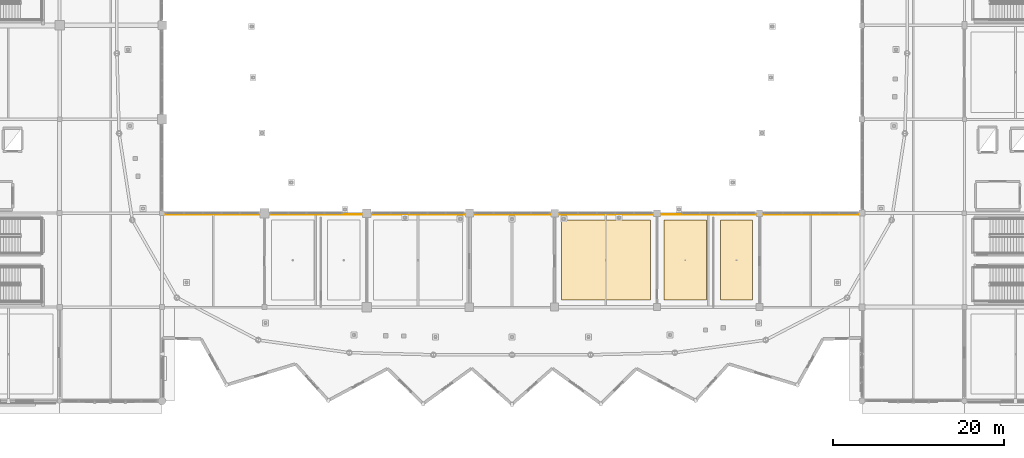
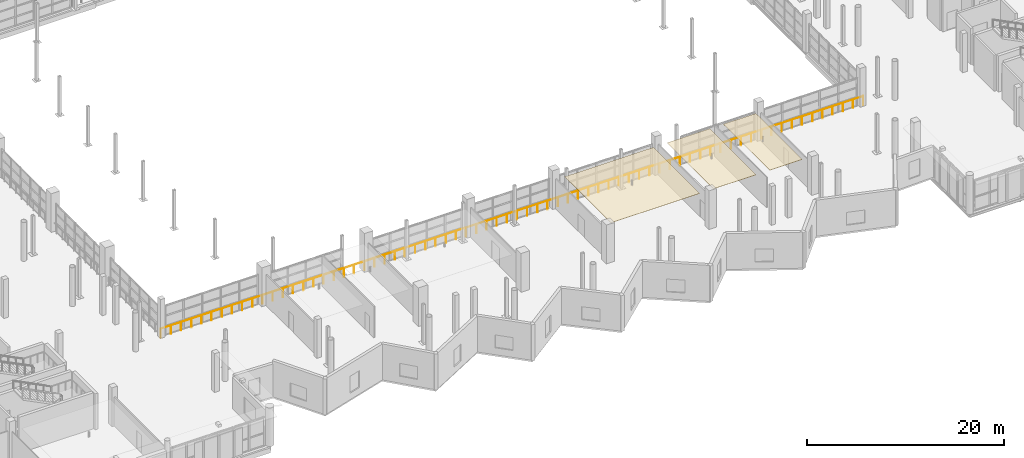
# One storey, part 124 of 143: 3 coverings, 1 railing.
"""IFC4 building model written with IfcOpenShell, lengths in metres."""

from ifc_helpers import new_model, si_unit, direction, frame, origin, origin_2d, place, context, subcontext, project, spatial, polyline, circle, outline, extrude, material, layer, layer_set, type_object, element, save


model = new_model("IFC4")

# Units and contexts
model_context = context("Model", 3, precision=1e-05, world=origin(), true_north=direction((0.0, 1.0)))
body_context = subcontext(model_context, "Body", "Model", "MODEL_VIEW")
ifc_project = project(units=[si_unit("LENGTHUNIT", "METRE"), si_unit("AREAUNIT", "SQUARE_METRE"), si_unit("VOLUMEUNIT", "CUBIC_METRE"), si_unit("PLANEANGLEUNIT", "RADIAN"), si_unit("MASSUNIT", "GRAM", prefix="KILO")], contexts=[model_context])

# Site, building, storey
site_placement = place(None, origin())
site = spatial("IfcSite", under=ifc_project, at=site_placement, CompositionType="ELEMENT")
building_placement = place(site_placement, origin())
building = spatial("IfcBuilding", under=site, at=building_placement, Name="Luwafu Chhajja Arena", CompositionType="ELEMENT")
storey_placement = place(building_placement, frame((0.0, 0.0, 5.39990234375)))
storey = spatial("IfcBuildingStorey", under=building, at=storey_placement, Name="L01", CompositionType="ELEMENT", Elevation=5.39990234375)

# Coverings
ifc_material_1 = material(Name="Acoustic gypsum ceiling board")
ifc_layer = layer(ifc_material_1, 0.0400390625, Name="Acoustic gypsum ceiling board")
ifc_layer_set = layer_set([ifc_layer], Name="Acoustic gypsum ceiling board")
covering_type = type_object("IfcCoveringType", Name="Perforated Acoustic Baffle Ceiling", PredefinedType="CEILING", material=ifc_layer_set)
covering_1_placement = place(storey_placement, frame((0.0, 0.0, 3.83935546875)))
element("IfcCovering", 1, at=covering_1_placement, inside=storey, type_object=covering_type, Name="L01 Acoustic Baffle Ceiling 032", PredefinedType="CEILING", context=body_context, shape_type="SweptSolid", body=[
    extrude(outline(polyline([(104.800048828125, 11.800048828125), (115.199951171875, 11.800048828125), (115.199951171875, 21.199951171875), (104.800048828125, 21.199951171875), (104.800048828125, 11.800048828125)])), origin(), (0.0, 0.0, 1.0), 0.0400390625),
])
covering_2_placement = place(storey_placement, frame((0.0, 0.0, 3.843017578125)))
element("IfcCovering", 2, at=covering_2_placement, inside=storey, type_object=covering_type, Name="L01 Acoustic Baffle Ceiling 033", PredefinedType="CEILING", context=body_context, shape_type="SweptSolid", body=[
    extrude(outline(polyline([(116.800048828125, 11.800048828125), (121.800048828125, 11.800048828125), (121.800048828125, 21.199951171875), (116.800048828125, 21.199951171875), (116.800048828125, 11.800048828125)])), origin(), (0.0, 0.0, 1.0), 0.0400390625),
])
covering_3_placement = place(storey_placement, frame((0.0, 0.0, 3.843017578125)))
element("IfcCovering", 3, at=covering_3_placement, inside=storey, type_object=covering_type, Name="L01 Acoustic Baffle Ceiling 034", PredefinedType="CEILING", context=body_context, shape_type="SweptSolid", body=[
    extrude(outline(polyline([(123.39990234375, 11.800048828125), (127.199951171875, 11.800048828125), (127.199951171875, 21.199951171875), (123.39990234375, 21.199951171875), (123.39990234375, 11.800048828125)])), origin(), (0.0, 0.0, 1.0), 0.0400390625),
])

# Railing
ifc_material_2 = material(Name="Stainless steel balustrade", Category="steel")
railing_type = type_object("IfcRailingType", Name="Seating Bowl Sightline Barrier 1100", PredefinedType="BALUSTRADE", material=ifc_material_2)
railing_placement = place(storey_placement, frame((57.85009765625, 21.85009765625, 0.0)))
element("IfcRailing", 4, at=railing_placement, inside=storey, type_object=railing_type, Name="L01 Bowl Rim Guard 0028", PredefinedType="BALUSTRADE", context=body_context, shape_type="SweptSolid", body=[
    extrude(circle(Radius=0.02392578125, at=origin_2d()), frame((0.0, 0.0, 1.09619140625), z_axis=(1.0, 0.0, 0.0), x_axis=(0.0, 1.0, 0.0)), (0.0, 0.0, 1.0), 82.2998046875),
    extrude(circle(Radius=0.02099609375, at=origin_2d()), origin(), (0.0, 0.0, 1.0), 1.072021484375),
    extrude(circle(Radius=0.02099609375, at=origin_2d()), frame((1.19287109375, 0.0, 0.0)), (0.0, 0.0, 1.0), 1.072021484375),
    extrude(circle(Radius=0.02099609375, at=origin_2d()), frame((2.385498046875, 0.0, 0.0)), (0.0, 0.0, 1.0), 1.072021484375),
    extrude(circle(Radius=0.02099609375, at=origin_2d()), frame((3.578369140625, 0.0, 0.0)), (0.0, 0.0, 1.0), 1.072021484375),
    extrude(circle(Radius=0.02099609375, at=origin_2d()), frame((4.77099609375, 0.0, 0.0)), (0.0, 0.0, 1.0), 1.072021484375),
    extrude(circle(Radius=0.02099609375, at=origin_2d()), frame((5.9638671875, 0.0, 0.0)), (0.0, 0.0, 1.0), 1.072021484375),
    extrude(circle(Radius=0.02099609375, at=origin_2d()), frame((7.156494140625, 0.0, 0.0)), (0.0, 0.0, 1.0), 1.072021484375),
    extrude(circle(Radius=0.02099609375, at=origin_2d()), frame((8.349365234375, 0.0, 0.0)), (0.0, 0.0, 1.0), 1.072021484375),
    extrude(circle(Radius=0.02099609375, at=origin_2d()), frame((9.5419921875, 0.0, 0.0)), (0.0, 0.0, 1.0), 1.072021484375),
    extrude(circle(Radius=0.02099609375, at=origin_2d()), frame((10.73486328125, 0.0, 0.0)), (0.0, 0.0, 1.0), 1.072021484375),
    extrude(circle(Radius=0.02099609375, at=origin_2d()), frame((11.927490234375, 0.0, 0.0)), (0.0, 0.0, 1.0), 1.072021484375),
    extrude(circle(Radius=0.02099609375, at=origin_2d()), frame((13.120361328125, 0.0, 0.0)), (0.0, 0.0, 1.0), 1.072021484375),
    extrude(circle(Radius=0.02099609375, at=origin_2d()), frame((14.31298828125, 0.0, 0.0)), (0.0, 0.0, 1.0), 1.072021484375),
    extrude(circle(Radius=0.02099609375, at=origin_2d()), frame((15.505859375, 0.0, 0.0)), (0.0, 0.0, 1.0), 1.072021484375),
    extrude(circle(Radius=0.02099609375, at=origin_2d()), frame((16.698486328125, 0.0, 0.0)), (0.0, 0.0, 1.0), 1.072021484375),
    extrude(circle(Radius=0.02099609375, at=origin_2d()), frame((17.891357421875, 0.0, 0.0)), (0.0, 0.0, 1.0), 1.072021484375),
    extrude(circle(Radius=0.02099609375, at=origin_2d()), frame((19.083984375, 0.0, 0.0)), (0.0, 0.0, 1.0), 1.072021484375),
    extrude(circle(Radius=0.02099609375, at=origin_2d()), frame((20.27685546875, 0.0, 0.0)), (0.0, 0.0, 1.0), 1.072021484375),
    extrude(circle(Radius=0.02099609375, at=origin_2d()), frame((21.469482421875, 0.0, 0.0)), (0.0, 0.0, 1.0), 1.072021484375),
    extrude(circle(Radius=0.02099609375, at=origin_2d()), frame((22.662353515625, 0.0, 0.0)), (0.0, 0.0, 1.0), 1.072021484375),
    extrude(circle(Radius=0.02099609375, at=origin_2d()), frame((23.85498046875, 0.0, 0.0)), (0.0, 0.0, 1.0), 1.072021484375),
    extrude(circle(Radius=0.02099609375, at=origin_2d()), frame((25.0478515625, 0.0, 0.0)), (0.0, 0.0, 1.0), 1.072021484375),
    extrude(circle(Radius=0.02099609375, at=origin_2d()), frame((26.240478515625, 0.0, 0.0)), (0.0, 0.0, 1.0), 1.072021484375),
    extrude(circle(Radius=0.02099609375, at=origin_2d()), frame((27.433349609375, 0.0, 0.0)), (0.0, 0.0, 1.0), 1.072021484375),
    extrude(circle(Radius=0.02099609375, at=origin_2d()), frame((28.6259765625, 0.0, 0.0)), (0.0, 0.0, 1.0), 1.072021484375),
    extrude(circle(Radius=0.02099609375, at=origin_2d()), frame((29.81884765625, 0.0, 0.0)), (0.0, 0.0, 1.0), 1.072021484375),
    extrude(circle(Radius=0.02099609375, at=origin_2d()), frame((31.011474609375, 0.0, 0.0)), (0.0, 0.0, 1.0), 1.072021484375),
    extrude(circle(Radius=0.02099609375, at=origin_2d()), frame((32.204345703125, 0.0, 0.0)), (0.0, 0.0, 1.0), 1.072021484375),
    extrude(circle(Radius=0.02099609375, at=origin_2d()), frame((33.39697265625, 0.0, 0.0)), (0.0, 0.0, 1.0), 1.072021484375),
    extrude(circle(Radius=0.02099609375, at=origin_2d()), frame((34.58984375, 0.0, 0.0)), (0.0, 0.0, 1.0), 1.072021484375),
    extrude(circle(Radius=0.02099609375, at=origin_2d()), frame((35.782470703125, 0.0, 0.0)), (0.0, 0.0, 1.0), 1.072021484375),
    extrude(circle(Radius=0.02099609375, at=origin_2d()), frame((36.975341796875, 0.0, 0.0)), (0.0, 0.0, 1.0), 1.072021484375),
    extrude(circle(Radius=0.02099609375, at=origin_2d()), frame((38.16796875, 0.0, 0.0)), (0.0, 0.0, 1.0), 1.072021484375),
    extrude(circle(Radius=0.02099609375, at=origin_2d()), frame((39.36083984375, 0.0, 0.0)), (0.0, 0.0, 1.0), 1.072021484375),
    extrude(circle(Radius=0.02099609375, at=origin_2d()), frame((40.553466796875, 0.0, 0.0)), (0.0, 0.0, 1.0), 1.072021484375),
    extrude(circle(Radius=0.02099609375, at=origin_2d()), frame((41.746337890625, 0.0, 0.0)), (0.0, 0.0, 1.0), 1.072021484375),
    extrude(circle(Radius=0.02099609375, at=origin_2d()), frame((42.93896484375, 0.0, 0.0)), (0.0, 0.0, 1.0), 1.072021484375),
    extrude(circle(Radius=0.02099609375, at=origin_2d()), frame((44.1318359375, 0.0, 0.0)), (0.0, 0.0, 1.0), 1.072021484375),
    extrude(circle(Radius=0.02099609375, at=origin_2d()), frame((45.324462890625, 0.0, 0.0)), (0.0, 0.0, 1.0), 1.072021484375),
    extrude(circle(Radius=0.02099609375, at=origin_2d()), frame((46.517333984375, 0.0, 0.0)), (0.0, 0.0, 1.0), 1.072021484375),
    extrude(circle(Radius=0.02099609375, at=origin_2d()), frame((47.7099609375, 0.0, 0.0)), (0.0, 0.0, 1.0), 1.072021484375),
    extrude(circle(Radius=0.02099609375, at=origin_2d()), frame((48.90283203125, 0.0, 0.0)), (0.0, 0.0, 1.0), 1.072021484375),
    extrude(circle(Radius=0.02099609375, at=origin_2d()), frame((50.095458984375, 0.0, 0.0)), (0.0, 0.0, 1.0), 1.072021484375),
    extrude(circle(Radius=0.02099609375, at=origin_2d()), frame((51.288330078125, 0.0, 0.0)), (0.0, 0.0, 1.0), 1.072021484375),
    extrude(circle(Radius=0.02099609375, at=origin_2d()), frame((52.48095703125, 0.0, 0.0)), (0.0, 0.0, 1.0), 1.072021484375),
    extrude(circle(Radius=0.02099609375, at=origin_2d()), frame((53.673828125, 0.0, 0.0)), (0.0, 0.0, 1.0), 1.072021484375),
    extrude(circle(Radius=0.02099609375, at=origin_2d()), frame((54.866455078125, 0.0, 0.0)), (0.0, 0.0, 1.0), 1.072021484375),
    extrude(circle(Radius=0.02099609375, at=origin_2d()), frame((56.059326171875, 0.0, 0.0)), (0.0, 0.0, 1.0), 1.072021484375),
    extrude(circle(Radius=0.02099609375, at=origin_2d()), frame((57.251953125, 0.0, 0.0)), (0.0, 0.0, 1.0), 1.072021484375),
    extrude(circle(Radius=0.02099609375, at=origin_2d()), frame((58.44482421875, 0.0, 0.0)), (0.0, 0.0, 1.0), 1.072021484375),
    extrude(circle(Radius=0.02099609375, at=origin_2d()), frame((59.637451171875, 0.0, 0.0)), (0.0, 0.0, 1.0), 1.072021484375),
    extrude(circle(Radius=0.02099609375, at=origin_2d()), frame((60.830322265625, 0.0, 0.0)), (0.0, 0.0, 1.0), 1.072021484375),
    extrude(circle(Radius=0.02099609375, at=origin_2d()), frame((62.02294921875, 0.0, 0.0)), (0.0, 0.0, 1.0), 1.072021484375),
    extrude(circle(Radius=0.02099609375, at=origin_2d()), frame((63.2158203125, 0.0, 0.0)), (0.0, 0.0, 1.0), 1.072021484375),
    extrude(circle(Radius=0.02099609375, at=origin_2d()), frame((64.408447265625, 0.0, 0.0)), (0.0, 0.0, 1.0), 1.072021484375),
    extrude(circle(Radius=0.02099609375, at=origin_2d()), frame((65.601318359375, 0.0, 0.0)), (0.0, 0.0, 1.0), 1.072021484375),
    extrude(circle(Radius=0.02099609375, at=origin_2d()), frame((66.7939453125, 0.0, 0.0)), (0.0, 0.0, 1.0), 1.072021484375),
    extrude(circle(Radius=0.02099609375, at=origin_2d()), frame((67.98681640625, 0.0, 0.0)), (0.0, 0.0, 1.0), 1.072021484375),
    extrude(circle(Radius=0.02099609375, at=origin_2d()), frame((69.179443359375, 0.0, 0.0)), (0.0, 0.0, 1.0), 1.072021484375),
    extrude(circle(Radius=0.02099609375, at=origin_2d()), frame((70.372314453125, 0.0, 0.0)), (0.0, 0.0, 1.0), 1.072021484375),
    extrude(circle(Radius=0.02099609375, at=origin_2d()), frame((71.56494140625, 0.0, 0.0)), (0.0, 0.0, 1.0), 1.072021484375),
    extrude(circle(Radius=0.02099609375, at=origin_2d()), frame((72.7578125, 0.0, 0.0)), (0.0, 0.0, 1.0), 1.072021484375),
    extrude(circle(Radius=0.02099609375, at=origin_2d()), frame((73.950439453125, 0.0, 0.0)), (0.0, 0.0, 1.0), 1.072021484375),
    extrude(circle(Radius=0.02099609375, at=origin_2d()), frame((75.143310546875, 0.0, 0.0)), (0.0, 0.0, 1.0), 1.072021484375),
    extrude(circle(Radius=0.02099609375, at=origin_2d()), frame((76.3359375, 0.0, 0.0)), (0.0, 0.0, 1.0), 1.072021484375),
    extrude(circle(Radius=0.02099609375, at=origin_2d()), frame((77.52880859375, 0.0, 0.0)), (0.0, 0.0, 1.0), 1.072021484375),
    extrude(circle(Radius=0.02099609375, at=origin_2d()), frame((78.721435546875, 0.0, 0.0)), (0.0, 0.0, 1.0), 1.072021484375),
    extrude(circle(Radius=0.02099609375, at=origin_2d()), frame((79.914306640625, 0.0, 0.0)), (0.0, 0.0, 1.0), 1.072021484375),
    extrude(circle(Radius=0.02099609375, at=origin_2d()), frame((81.10693359375, 0.0, 0.0)), (0.0, 0.0, 1.0), 1.072021484375),
    extrude(circle(Radius=0.02099609375, at=origin_2d()), frame((82.2998046875, 0.0, 0.0)), (0.0, 0.0, 1.0), 1.072021484375),
])

save(model, "model.ifc")
